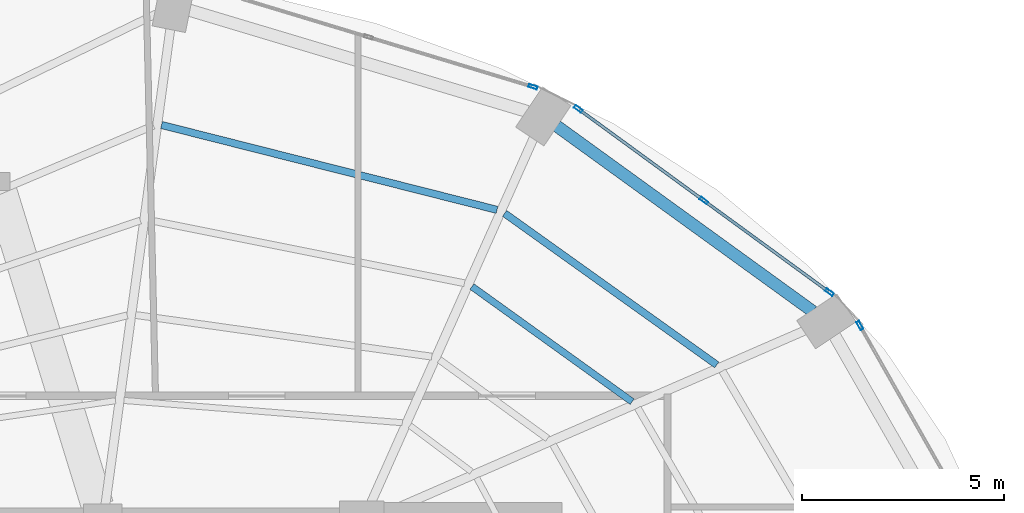
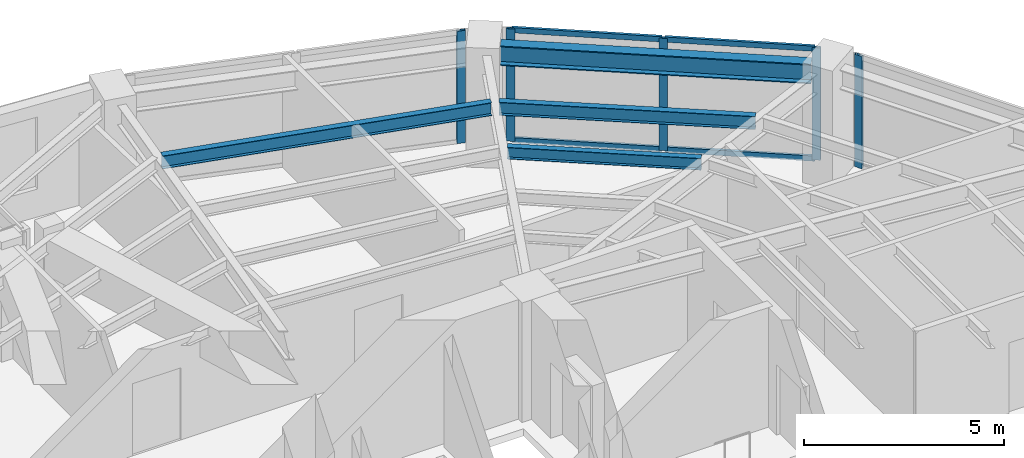
# One storey, part 17 of 24: 9 members, 4 beams, 3 elements without a shape of their own.
"""IFC4 building model written with IfcOpenShell, lengths in metres."""

from ifc_helpers import new_model, si_unit, direction, frame, origin, origin_2d, place, context, subcontext, project, spatial, hollow_rectangle, i_section, extrude, material, layer, layer_set, material_profile, profile_set, type_object, element, aggregate, save


model = new_model("IFC4")

# Units and contexts
model_context = context("Model", 3, precision=1e-05, world=origin(), true_north=direction((0.0, 1.0)))
body_context = subcontext(model_context, "Body", "Model", "MODEL_VIEW")
ifc_project = project(units=[si_unit("LENGTHUNIT", "METRE"), si_unit("AREAUNIT", "SQUARE_METRE"), si_unit("VOLUMEUNIT", "CUBIC_METRE"), si_unit("PLANEANGLEUNIT", "RADIAN"), si_unit("MASSUNIT", "GRAM", prefix="KILO")], contexts=[model_context])

# Site, building, storey
site_placement = place(None, origin())
site = spatial("IfcSite", under=ifc_project, at=site_placement, CompositionType="ELEMENT")
building_placement = place(site_placement, origin())
building = spatial("IfcBuilding", under=site, at=building_placement, Name="Lazwardi Medical Tower", CompositionType="ELEMENT")
storey_placement = place(building_placement, frame((0.0, 0.0, 103.632080078125)))
storey = spatial("IfcBuildingStorey", under=building, at=storey_placement, Name="L26", CompositionType="ELEMENT", Elevation=103.632080078125)

# Beams
ifc_material_1 = material(Name="Steel S355", Category="steel")
ifc_material_profile_1 = material_profile(ifc_material_1, i_section(OverallWidth=0.300048828125, OverallDepth=0.60009765625, WebThickness=0.015380859375, FlangeThickness=0.030029296875, at=origin_2d()), Name="HEB 600")
ifc_profile_set_1 = profile_set([ifc_material_profile_1], Name="Steel S355")
beam_type_1 = type_object("IfcBeamType", Name="BM-RB-Z2", PredefinedType="BEAM", material=ifc_profile_set_1)
beam_1_placement = place(storey_placement, frame((56.74560546875, 40.835205078125, 3.1279296875), z_axis=(-0.81005674773, 0.586351486275, 0.0), x_axis=(-0.586351486275, -0.81005674773, 0.0)))
element("IfcBeam", 1, at=beam_1_placement, inside=storey, type_object=beam_type_1, Name="Ring beam RB-03 B06 L26", PredefinedType="BEAM", context=body_context, shape_type="SweptSolid", body=[
    extrude(i_section(OverallWidth=0.300048828125, OverallDepth=0.60009765625, WebThickness=0.015380859375, FlangeThickness=0.030029296875, at=origin_2d()), origin(), (0.0, 0.0, 1.0), 7.81396484375),
])
ifc_material_profile_2 = material_profile(ifc_material_1, i_section(OverallWidth=0.179931640625, OverallDepth=0.39990234375, WebThickness=0.008544921875, FlangeThickness=0.013427734375, at=origin_2d()), Name="IPE 400")
ifc_profile_set_2 = profile_set([ifc_material_profile_2], Name="Steel S355")
beam_type_2 = type_object("IfcBeamType", Name="BM-SJ-01", PredefinedType="JOIST", material=ifc_profile_set_2)
beam_2_placement = place(storey_placement, frame((54.369384765625, 39.514404296875, 3.22802734375), z_axis=(-0.813748834317, 0.581216684763, 0.0), x_axis=(-0.581216684763, -0.813748834317, 0.0)))
element("IfcBeam", 2, at=beam_2_placement, inside=storey, type_object=beam_type_2, Name="Secondary joist SJ-01 R1 B06 L26", PredefinedType="JOIST", context=body_context, shape_type="SweptSolid", body=[
    extrude(i_section(OverallWidth=0.179931640625, OverallDepth=0.39990234375, WebThickness=0.008544921875, FlangeThickness=0.013427734375, at=origin_2d()), origin(), (0.0, 0.0, 1.0), 6.4423828125),
])
beam_3_placement = place(storey_placement, frame((48.939697265625, 43.345703125, 3.22802734375), z_axis=(-0.96945186753, 0.245281626997, 0.0), x_axis=(-0.245281626997, -0.96945186753, 0.0)))
element("IfcBeam", 3, at=beam_3_placement, inside=storey, type_object=beam_type_2, Name="Secondary joist SJ-01 R1 B07 L26", PredefinedType="JOIST", context=body_context, shape_type="SweptSolid", body=[
    extrude(i_section(OverallWidth=0.179931640625, OverallDepth=0.39990234375, WebThickness=0.008544921875, FlangeThickness=0.013427734375, at=origin_2d()), origin(), (0.0, 0.0, 1.0), 8.552978515625),
])
ifc_material_profile_3 = material_profile(ifc_material_1, i_section(OverallWidth=0.169921875, OverallDepth=0.360107421875, WebThickness=0.008056640625, FlangeThickness=0.0126953125, at=origin_2d()), Name="IPE 360")
ifc_profile_set_3 = profile_set([ifc_material_profile_3], Name="Steel S355")
beam_type_3 = type_object("IfcBeamType", Name="BM-SJ-02", PredefinedType="JOIST", material=ifc_profile_set_3)
beam_4_placement = place(storey_placement, frame((52.278564453125, 38.604736328125, 3.247802734375), z_axis=(-0.811888517177, 0.583812500446, 0.0), x_axis=(-0.583812500446, -0.811888517177, 0.0)))
element("IfcBeam", 4, at=beam_4_placement, inside=storey, type_object=beam_type_3, Name="Secondary joist SJ-02 R2 B06 L26", PredefinedType="JOIST", context=body_context, shape_type="SweptSolid", body=[
    extrude(i_section(OverallWidth=0.169921875, OverallDepth=0.360107421875, WebThickness=0.008056640625, FlangeThickness=0.0126953125, at=origin_2d()), origin(), (0.0, 0.0, 1.0), 4.874755859375),
])

# Curtain wall, member
ifc_material_2 = material(Name="Anodised bronze aluminium and solar control glazing", Category="aluminium")
ifc_layer = layer(ifc_material_2, 0.195068359375)
ifc_layer_set = layer_set([ifc_layer], Name="Anodised bronze aluminium and solar control glazing")
curtain_wall_type = type_object("IfcCurtainWallType", Name="CW-SYS-03", PredefinedType="NOTDEFINED", material=ifc_layer_set)
curtain_wall_1_placement = place(storey_placement, origin())
curtain_wall_1 = element("IfcCurtainWall", 5, at=curtain_wall_1_placement, inside=storey, type_object=curtain_wall_type, Name="L26 Unitised bronze curtain wall CW-03", PredefinedType="NOTDEFINED")
ifc_material_3 = material(Name="Anodised bronze aluminium", Category="aluminium")
ifc_material_profile_4 = material_profile(ifc_material_3, hollow_rectangle(XDim=0.074951171875, YDim=0.219970703125, WallThickness=0.00390625, at=origin_2d()), Name="ALU-MULLION 220x75x4")
ifc_profile_set_4 = profile_set([ifc_material_profile_4], Name="Anodised bronze aluminium")
member_type_1 = type_object("IfcMemberType", Name="CW-MUL-01", PredefinedType="MULLION", material=ifc_profile_set_4)
member_1_placement = place(storey_placement, frame((57.9072265625, 40.48583984375, 0.0), z_axis=(0.0, 0.0, 1.0), x_axis=(-0.869687265712, -0.493603140041, 0.0)))
member_1 = element("IfcMember", 6, at=member_1_placement, type_object=member_type_1, Name="CW-03 mullion 2", PredefinedType="MULLION", context=body_context, shape_type="SweptSolid", body=[
    extrude(hollow_rectangle(XDim=0.074951171875, YDim=0.219970703125, WallThickness=0.00390625, at=origin_2d()), origin(), (0.0, 0.0, 1.0), 3.427978515625),
])
aggregate(curtain_wall_1, [member_1])

# Curtain wall, members
curtain_wall_2_placement = place(storey_placement, origin())
curtain_wall_2 = element("IfcCurtainWall", 7, at=curtain_wall_2_placement, inside=storey, type_object=curtain_wall_type, Name="L26 Unitised bronze curtain wall CW-03", PredefinedType="NOTDEFINED")
member_2_placement = place(storey_placement, frame((57.155029296875, 41.308837890625, 0.0), z_axis=(0.0, 0.0, 1.0), x_axis=(-0.589530882802, -0.807745837639, 0.0)))
member_2 = element("IfcMember", 8, at=member_2_placement, type_object=member_type_1, Name="CW-03 mullion 1", PredefinedType="MULLION", context=body_context, shape_type="SweptSolid", body=[
    extrude(hollow_rectangle(XDim=0.074951171875, YDim=0.219970703125, WallThickness=0.00390625, at=origin_2d()), origin(), (0.0, 0.0, 1.0), 3.427978515625),
])
member_3_placement = place(storey_placement, frame((54.051025390625, 43.57421875, 0.0), z_axis=(0.0, 0.0, 1.0), x_axis=(-0.589530882802, -0.807745837639, 0.0)))
member_3 = element("IfcMember", 9, at=member_3_placement, type_object=member_type_1, Name="CW-03 mullion 2", PredefinedType="MULLION", context=body_context, shape_type="SweptSolid", body=[
    extrude(hollow_rectangle(XDim=0.074951171875, YDim=0.219970703125, WallThickness=0.00390625, at=origin_2d()), origin(), (0.0, 0.0, 1.0), 3.427978515625),
])
member_4_placement = place(storey_placement, frame((50.947265625, 45.839599609375, 0.0), z_axis=(0.0, 0.0, 1.0), x_axis=(-0.589530882802, -0.807745837639, 0.0)))
member_4 = element("IfcMember", 10, at=member_4_placement, type_object=member_type_1, Name="CW-03 mullion 3", PredefinedType="MULLION", context=body_context, shape_type="SweptSolid", body=[
    extrude(hollow_rectangle(XDim=0.074951171875, YDim=0.219970703125, WallThickness=0.00390625, at=origin_2d()), origin(), (0.0, 0.0, 1.0), 3.427978515625),
])

# Curtain wall, member
curtain_wall_3_placement = place(storey_placement, origin())
curtain_wall_3 = element("IfcCurtainWall", 11, at=curtain_wall_3_placement, inside=storey, type_object=curtain_wall_type, Name="L26 Unitised bronze curtain wall CW-03", PredefinedType="NOTDEFINED")
member_5_placement = place(storey_placement, frame((49.828369140625, 46.385986328125, 0.0), z_axis=(0.0, 0.0, 1.0), x_axis=(-0.28937381157, -0.957216170558, 0.0)))
member_5 = element("IfcMember", 12, at=member_5_placement, type_object=member_type_1, Name="CW-03 mullion 1", PredefinedType="MULLION", context=body_context, shape_type="SweptSolid", body=[
    extrude(hollow_rectangle(XDim=0.074951171875, YDim=0.219970703125, WallThickness=0.00390625, at=origin_2d()), origin(), (0.0, 0.0, 1.0), 3.427978515625),
])
aggregate(curtain_wall_3, [member_5])

# Member
ifc_material_profile_5 = material_profile(ifc_material_3, hollow_rectangle(XDim=0.074951171875, YDim=0.159912109375, WallThickness=0.00390625, at=origin_2d()), Name="ALU-TRANSOM 160x75x4")
ifc_profile_set_5 = profile_set([ifc_material_profile_5], Name="Anodised bronze aluminium")
member_type_2 = type_object("IfcMemberType", Name="CW-TRN-01", PredefinedType="USERDEFINED", material=ifc_profile_set_5)
member_6_placement = place(storey_placement, frame((57.12451171875, 41.3310546875, 0.037353515625), z_axis=(-0.807731734271, 0.589550206049, 0.0), x_axis=(-0.589550206049, -0.807731734271, 0.0)))
member_6 = element("IfcMember", 13, at=member_6_placement, type_object=member_type_2, Name="CW-03 transom 1.1", ObjectType="TRANSOM", PredefinedType="USERDEFINED", context=body_context, shape_type="SweptSolid", body=[
    extrude(hollow_rectangle(XDim=0.074951171875, YDim=0.159912109375, WallThickness=0.00390625, at=origin_2d()), origin(), (0.0, 0.0, 1.0), 3.767578125),
])

member_7_placement = place(storey_placement, frame((57.12451171875, 41.3310546875, 3.390380859375), z_axis=(-0.807731734271, 0.589550206049, 0.0), x_axis=(-0.589550206049, -0.807731734271, 0.0)))
member_7 = element("IfcMember", 14, at=member_7_placement, type_object=member_type_2, Name="CW-03 transom 1.2", ObjectType="TRANSOM", PredefinedType="USERDEFINED", context=body_context, shape_type="SweptSolid", body=[
    extrude(hollow_rectangle(XDim=0.074951171875, YDim=0.159912109375, WallThickness=0.00390625, at=origin_2d()), origin(), (0.0, 0.0, 1.0), 3.767578125),
])

member_8_placement = place(storey_placement, frame((54.020751953125, 43.596435546875, 0.037353515625), z_axis=(-0.80776259199, 0.58950792614, 0.0), x_axis=(-0.58950792614, -0.80776259199, 0.0)))
member_8 = element("IfcMember", 15, at=member_8_placement, type_object=member_type_2, Name="CW-03 transom 2.1", ObjectType="TRANSOM", PredefinedType="USERDEFINED", context=body_context, shape_type="SweptSolid", body=[
    extrude(hollow_rectangle(XDim=0.074951171875, YDim=0.159912109375, WallThickness=0.00390625, at=origin_2d()), origin(), (0.0, 0.0, 1.0), 3.767578125),
])

member_9_placement = place(storey_placement, frame((54.020751953125, 43.596435546875, 3.390380859375), z_axis=(-0.80776259199, 0.58950792614, 0.0), x_axis=(-0.58950792614, -0.80776259199, 0.0)))
member_9 = element("IfcMember", 16, at=member_9_placement, type_object=member_type_2, Name="CW-03 transom 2.2", ObjectType="TRANSOM", PredefinedType="USERDEFINED", context=body_context, shape_type="SweptSolid", body=[
    extrude(hollow_rectangle(XDim=0.074951171875, YDim=0.159912109375, WallThickness=0.00390625, at=origin_2d()), origin(), (0.0, 0.0, 1.0), 3.767578125),
])

aggregate(curtain_wall_2, [member_2, member_3, member_4, member_6, member_7, member_8, member_9])

save(model, "model.ifc")
